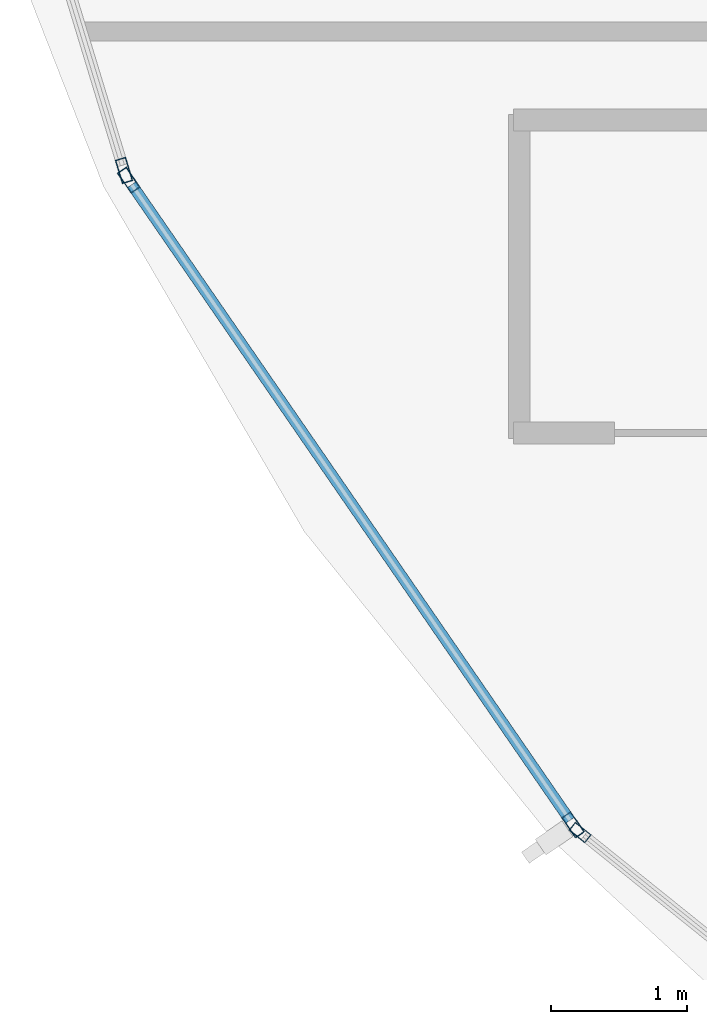
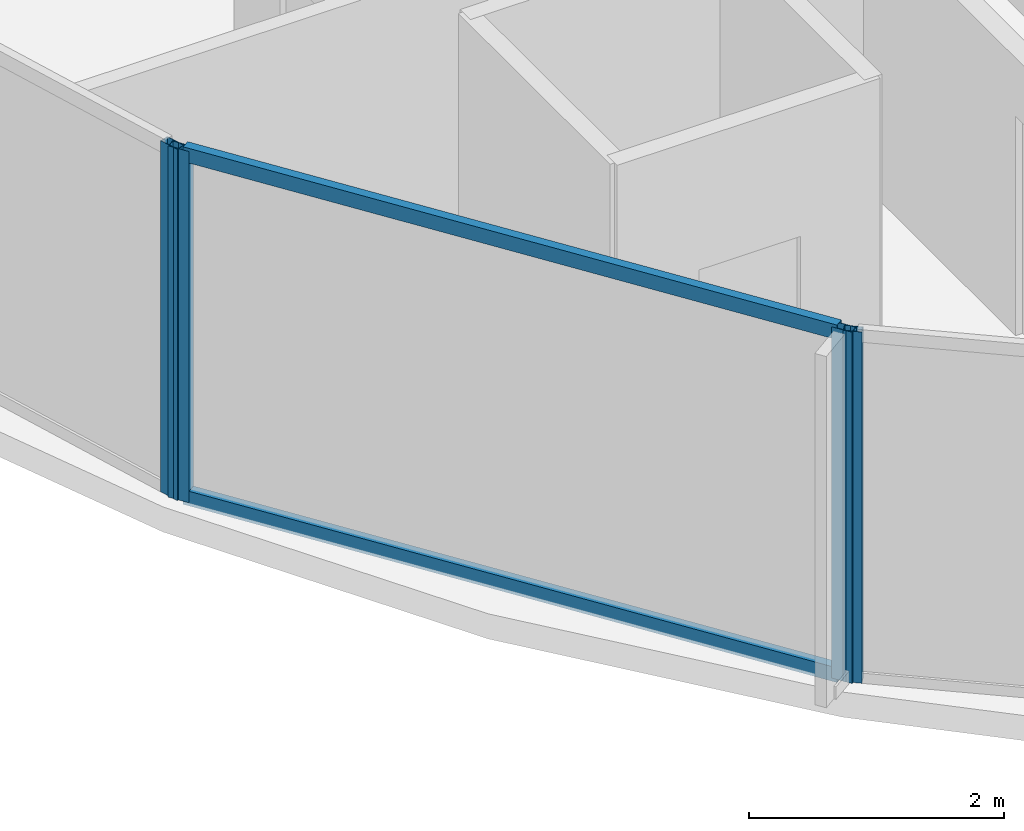
# One storey, part 3 of 33: 6 members, 3 elements without a shape of their own.
"""IFC4 building model written with IfcOpenShell, lengths in metres."""

from ifc_helpers import new_model, si_unit, direction, frame, origin, origin_2d, place, context, subcontext, project, spatial, hollow_rectangle, extrude, material, layer, layer_set, material_profile, profile_set, type_object, element, aggregate, save


model = new_model("IFC4")

# Units and contexts
model_context = context("Model", 3, precision=1e-05, world=origin(), true_north=direction((0.0, 1.0)))
body_context = subcontext(model_context, "Body", "Model", "MODEL_VIEW")
ifc_project = project(units=[si_unit("LENGTHUNIT", "METRE"), si_unit("AREAUNIT", "SQUARE_METRE"), si_unit("VOLUMEUNIT", "CUBIC_METRE"), si_unit("PLANEANGLEUNIT", "RADIAN"), si_unit("MASSUNIT", "GRAM", prefix="KILO")], contexts=[model_context])

# Site, building, storey
site_placement = place(None, origin())
site = spatial("IfcSite", under=ifc_project, at=site_placement, CompositionType="ELEMENT")
building_placement = place(site_placement, origin())
building = spatial("IfcBuilding", under=site, at=building_placement, Name="Kazevale Care Tower and Concert Hall", CompositionType="ELEMENT")
storey_placement = place(building_placement, frame((0.0, 0.0, 153.0)))
storey = spatial("IfcBuildingStorey", under=building, at=storey_placement, Name="L40", CompositionType="ELEMENT", Elevation=153.0)

# Curtain wall, members
ifc_material_1 = material(Name="Aluminium 6063-T6 and Low-E Glass", Category="aluminium")
ifc_layer_1 = layer(ifc_material_1, 0.179931640625)
ifc_layer_set_1 = layer_set([ifc_layer_1], Name="Aluminium 6063-T6 and Low-E Glass")
curtain_wall_type_1 = type_object("IfcCurtainWallType", Name="Waist & Upper Residential Curtain Wall CW-4", PredefinedType="NOTDEFINED", material=ifc_layer_set_1)
curtain_wall_1_placement = place(storey_placement, origin())
curtain_wall_1 = element("IfcCurtainWall", 1, at=curtain_wall_1_placement, inside=storey, type_object=curtain_wall_type_1, Name="cw:L40:f11", PredefinedType="NOTDEFINED")
ifc_material_2 = material(Name="Aluminium 6063-T6", Category="aluminium")
ifc_material_profile_1 = material_profile(ifc_material_2, hollow_rectangle(XDim=0.080078125, YDim=0.179931640625, WallThickness=0.0048828125, at=origin_2d()), Name="ALU80x180x5")
ifc_profile_set_1 = profile_set([ifc_material_profile_1], Name="Aluminium 6063-T6")
member_type_1 = type_object("IfcMemberType", Name="CW-4 Mullion ALU80x180x5", PredefinedType="MULLION", material=ifc_profile_set_1)
member_1_placement = place(storey_placement, frame((15.981201171875, 24.6708984375, 0.0), z_axis=(0.0, 0.0, 1.0), x_axis=(-0.823326035997, -0.567568708131, 0.0)))
member_1 = element("IfcMember", 2, at=member_1_placement, type_object=member_type_1, Name="CW-4 mullion 1", PredefinedType="MULLION", context=body_context, shape_type="SweptSolid", body=[
    extrude(hollow_rectangle(XDim=0.080078125, YDim=0.179931640625, WallThickness=0.0048828125, at=origin_2d()), origin(), (0.0, 0.0, 1.0), 3.360107421875),
])
member_2_placement = place(storey_placement, frame((12.7158203125, 29.407958984375, 0.0), z_axis=(0.0, 0.0, 1.0), x_axis=(-0.823326035997, -0.567568708131, 0.0)))
member_2 = element("IfcMember", 3, at=member_2_placement, type_object=member_type_1, Name="CW-4 mullion 2", PredefinedType="MULLION", context=body_context, shape_type="SweptSolid", body=[
    extrude(hollow_rectangle(XDim=0.080078125, YDim=0.179931640625, WallThickness=0.0048828125, at=origin_2d()), origin(), (0.0, 0.0, 1.0), 3.360107421875),
])

# Curtain wall, member
curtain_wall_2_placement = place(storey_placement, origin())
curtain_wall_2 = element("IfcCurtainWall", 4, at=curtain_wall_2_placement, inside=storey, type_object=curtain_wall_type_1, Name="cw:L40:f12", PredefinedType="NOTDEFINED")
member_3_placement = place(storey_placement, frame((12.681396484375, 29.479248046875, 0.0), z_axis=(0.0, 0.0, 1.0), x_axis=(-0.956729897234, -0.290977496961, 0.0)))
member_3 = element("IfcMember", 5, at=member_3_placement, type_object=member_type_1, Name="CW-4 mullion 1", PredefinedType="MULLION", context=body_context, shape_type="SweptSolid", body=[
    extrude(hollow_rectangle(XDim=0.080078125, YDim=0.179931640625, WallThickness=0.0048828125, at=origin_2d()), origin(), (0.0, 0.0, 1.0), 3.360107421875),
])
aggregate(curtain_wall_2, [member_3])

# Member
ifc_material_profile_2 = material_profile(ifc_material_2, hollow_rectangle(XDim=0.080078125, YDim=0.139892578125, WallThickness=0.00390625, at=origin_2d()), Name="ALU80x140x4")
ifc_profile_set_2 = profile_set([ifc_material_profile_2], Name="Aluminium 6063-T6")
member_type_2 = type_object("IfcMemberType", Name="CW-4 Transom ALU80x140x4", PredefinedType="USERDEFINED", material=ifc_profile_set_2)
member_4_placement = place(storey_placement, frame((15.95849609375, 24.703857421875, 0.0400390625), z_axis=(-0.567532833811, 0.823350765194, 0.0), x_axis=(-0.823350765194, -0.567532833811, 0.0)))
member_4 = element("IfcMember", 6, at=member_4_placement, type_object=member_type_2, Name="CW-4 transom 1.1", ObjectType="TRANSOM", PredefinedType="USERDEFINED", context=body_context, shape_type="SweptSolid", body=[
    extrude(hollow_rectangle(XDim=0.080078125, YDim=0.139892578125, WallThickness=0.00390625, at=origin_2d()), origin(), (0.0, 0.0, 1.0), 5.673583984375),
])

member_5_placement = place(storey_placement, frame((15.95849609375, 24.703857421875, 3.320068359375), z_axis=(-0.567532833811, 0.823350765194, 0.0), x_axis=(-0.823350765194, -0.567532833811, 0.0)))
member_5 = element("IfcMember", 7, at=member_5_placement, type_object=member_type_2, Name="CW-4 transom 1.2", ObjectType="TRANSOM", PredefinedType="USERDEFINED", context=body_context, shape_type="SweptSolid", body=[
    extrude(hollow_rectangle(XDim=0.080078125, YDim=0.139892578125, WallThickness=0.00390625, at=origin_2d()), origin(), (0.0, 0.0, 1.0), 5.673583984375),
])

aggregate(curtain_wall_1, [member_1, member_2, member_4, member_5])

# Curtain wall, member
ifc_layer_2 = layer(ifc_material_1, 0.179931640625)
ifc_layer_set_2 = layer_set([ifc_layer_2], Name="Aluminium 6063-T6 and Low-E Glass")
curtain_wall_type_2 = type_object("IfcCurtainWallType", Name="Sheltered Concave Balcony Curtain Wall CW-5", PredefinedType="NOTDEFINED", material=ifc_layer_set_2)
curtain_wall_3_placement = place(storey_placement, origin())
curtain_wall_3 = element("IfcCurtainWall", 8, at=curtain_wall_3_placement, inside=storey, type_object=curtain_wall_type_2, Name="cw:L40:f10", PredefinedType="NOTDEFINED")
ifc_material_profile_3 = material_profile(ifc_material_2, hollow_rectangle(XDim=0.074951171875, YDim=0.14990234375, WallThickness=0.00390625, at=origin_2d()), Name="ALU75x150x4")
ifc_profile_set_3 = profile_set([ifc_material_profile_3], Name="Aluminium 6063-T6")
member_type_3 = type_object("IfcMemberType", Name="CW-5 Mullion ALU75x150x4", PredefinedType="MULLION", material=ifc_profile_set_3)
member_6_placement = place(storey_placement, frame((16.033203125, 24.614501953125, 0.0), z_axis=(0.0, 0.0, 1.0), x_axis=(-0.626905357502, -0.779095419531, 0.0)))
member_6 = element("IfcMember", 9, at=member_6_placement, type_object=member_type_3, Name="CW-5 mullion 2", PredefinedType="MULLION", context=body_context, shape_type="SweptSolid", body=[
    extrude(hollow_rectangle(XDim=0.074951171875, YDim=0.14990234375, WallThickness=0.00390625, at=origin_2d()), origin(), (0.0, 0.0, 1.0), 3.360107421875),
])
aggregate(curtain_wall_3, [member_6])

save(model, "model.ifc")
